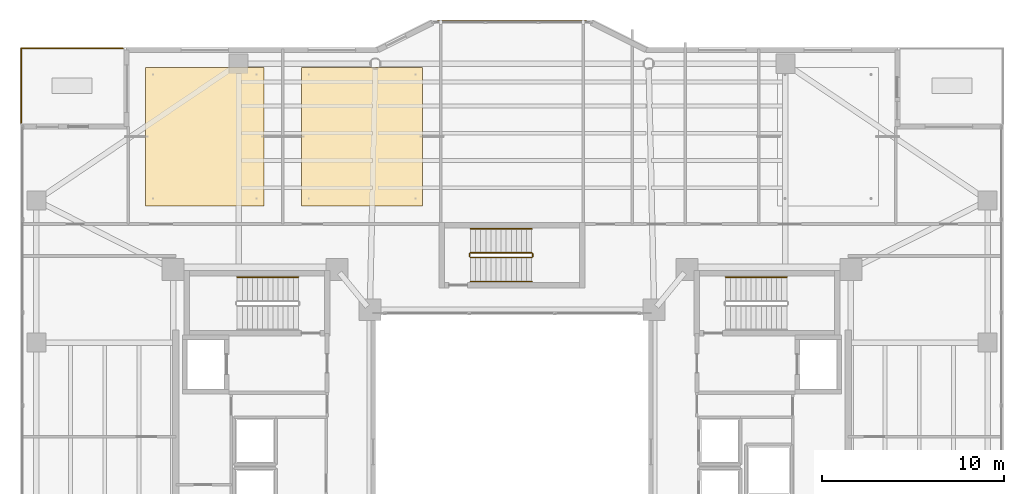
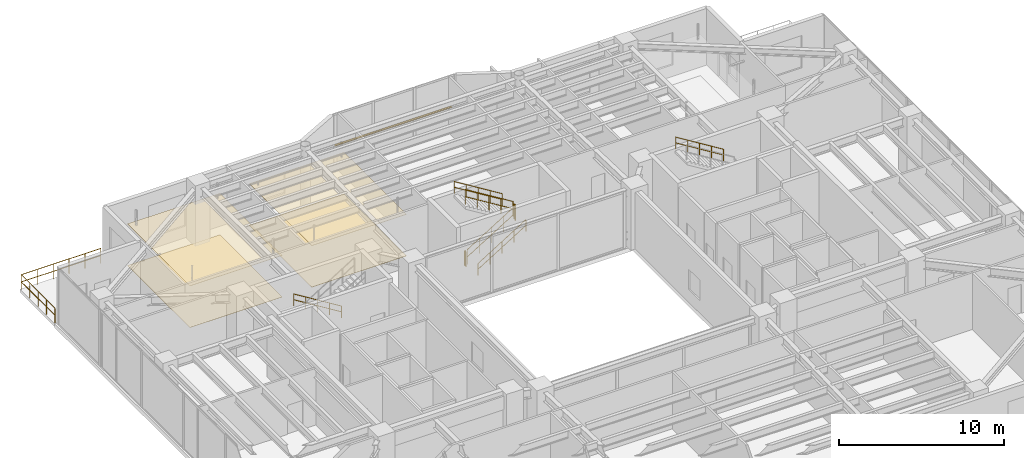
# One storey, part 37 of 38: 10 railings, 4 coverings, 1 shading device.
"""IFC4 building model written with IfcOpenShell, lengths in metres."""

from ifc_helpers import new_model, si_unit, direction, frame, origin, origin_2d, place, context, subcontext, project, spatial, polyline, rectangle, circle, outline, extrude, material, layer, layer_set, material_profile, profile_set, type_object, element, save


model = new_model("IFC4")

# Units and contexts
model_context = context("Model", 3, precision=1e-05, world=origin(), true_north=direction((0.0, 1.0)))
body_context = subcontext(model_context, "Body", "Model", "MODEL_VIEW")
ifc_project = project(units=[si_unit("LENGTHUNIT", "METRE"), si_unit("AREAUNIT", "SQUARE_METRE"), si_unit("VOLUMEUNIT", "CUBIC_METRE"), si_unit("PLANEANGLEUNIT", "RADIAN"), si_unit("MASSUNIT", "GRAM", prefix="KILO")], contexts=[model_context])

# Site, building, storey
site_placement = place(None, origin())
site = spatial("IfcSite", under=ifc_project, at=site_placement, CompositionType="ELEMENT")
building_placement = place(site_placement, origin())
building = spatial("IfcBuilding", under=site, at=building_placement, Name="Tarnavaz Court Tower", CompositionType="ELEMENT")
storey_placement = place(building_placement, frame((0.0, 0.0, 123.0)))
storey = spatial("IfcBuildingStorey", under=building, at=storey_placement, Name="L33", CompositionType="ELEMENT", Elevation=123.0)

# Coverings
ifc_material_1 = material(Name="Perforated Gypsum Acoustic Ceiling Tile", Category="masonry")
ifc_layer_1 = layer(ifc_material_1, 0.02490234375)
ifc_layer_set_1 = layer_set([ifc_layer_1], Name="Perforated Gypsum Acoustic Ceiling Tile")
covering_type_1 = type_object("IfcCoveringType", Name="CV-CEIL-AC", PredefinedType="CEILING", material=ifc_layer_set_1)
covering_1_placement = place(storey_placement, frame((0.0, 0.0, 3.080078125)))
element("IfcCovering", 1, at=covering_1_placement, inside=storey, type_object=covering_type_1, Name="L33 L33 Community Banquet Assembly Hall Suspended Acoustic Ceiling", PredefinedType="CEILING", context=body_context, shape_type="SweptSolid", body=[
    extrude(outline(polyline([(-20.10009765625, 13.5), (-13.614990234375, 13.5), (-13.614990234375, 21.10009765625), (-20.10009765625, 21.10009765625), (-20.10009765625, 13.5)])), origin(), (0.0, 0.0, 1.0), 0.02490234375),
])
covering_2_placement = place(storey_placement, frame((0.0, 0.0, 3.080078125)))
element("IfcCovering", 2, at=covering_2_placement, inside=storey, type_object=covering_type_1, Name="L33 L33 Resident Study Library Suspended Acoustic Ceiling", PredefinedType="CEILING", context=body_context, shape_type="SweptSolid", body=[
    extrude(outline(polyline([(-11.554931640625, 13.5), (-4.89990234375, 13.5), (-4.89990234375, 21.10009765625), (-11.554931640625, 21.10009765625), (-11.554931640625, 13.5)])), origin(), (0.0, 0.0, 1.0), 0.02490234375),
])
ifc_material_2 = material(Name="Glazed Khorasan Porcelain Floor Tile", Category="masonry")
ifc_layer_2 = layer(ifc_material_2, 0.02001953125)
ifc_layer_set_2 = layer_set([ifc_layer_2], Name="Glazed Khorasan Porcelain Floor Tile")
covering_type_2 = type_object("IfcCoveringType", Name="CV-FLR-PORC", PredefinedType="FLOORING", material=ifc_layer_set_2)
covering_3_placement = place(storey_placement, origin())
element("IfcCovering", 3, at=covering_3_placement, inside=storey, type_object=covering_type_2, Name="L33 L33 Community Banquet Assembly Hall Porcelain Floor Finish", PredefinedType="FLOORING", context=body_context, shape_type="SweptSolid", body=[
    extrude(outline(polyline([(-20.10009765625, 13.5), (-13.614990234375, 13.5), (-13.614990234375, 21.10009765625), (-20.10009765625, 21.10009765625), (-20.10009765625, 13.5)])), origin(), (0.0, 0.0, 1.0), 0.02001953125),
])
covering_4_placement = place(storey_placement, origin())
element("IfcCovering", 4, at=covering_4_placement, inside=storey, type_object=covering_type_2, Name="L33 L33 Resident Study Library Porcelain Floor Finish", PredefinedType="FLOORING", context=body_context, shape_type="SweptSolid", body=[
    extrude(outline(polyline([(-11.554931640625, 13.5), (-4.89990234375, 13.5), (-4.89990234375, 21.10009765625), (-11.554931640625, 21.10009765625), (-11.554931640625, 13.5)])), origin(), (0.0, 0.0, 1.0), 0.02001953125),
])

# Railings
ifc_material_3 = material(Name="Anodised Aluminium 6063-T6 and Laminated Safety Glass", Category="aluminium")
railing_type_1 = type_object("IfcRailingType", Name="RL-BAL-1120", PredefinedType="BALUSTRADE", material=ifc_material_3)
railing_1_placement = place(storey_placement, frame((-21.360107421875, 22.139892578125, 0.0)))
element("IfcRailing", 5, at=railing_1_placement, inside=storey, type_object=railing_type_1, Name="L33 Terrace 2 N Perimeter Balustrade", PredefinedType="BALUSTRADE", context=body_context, shape_type="SweptSolid", body=[
    extrude(circle(Radius=0.02392578125, at=origin_2d()), frame((0.0, 0.0, 1.09619140625), z_axis=(-1.0, 0.0, 0.0), x_axis=(0.0, -1.0, 0.0)), (0.0, 0.0, 1.0), 5.579833984375),
    extrude(circle(Radius=0.02392578125, at=origin_2d()), frame((0.0, 0.0, 0.56005859375), z_axis=(-1.0, 0.0, 0.0), x_axis=(0.0, -1.0, 0.0)), (0.0, 0.0, 1.0), 5.579833984375),
    extrude(circle(Radius=0.02099609375, at=origin_2d()), origin(), (0.0, 0.0, 1.0), 1.072021484375),
    extrude(circle(Radius=0.02099609375, at=origin_2d()), frame((-1.115966796875, 0.0, 0.0)), (0.0, 0.0, 1.0), 1.072021484375),
    extrude(circle(Radius=0.02099609375, at=origin_2d()), frame((-2.23193359375, 0.0, 0.0)), (0.0, 0.0, 1.0), 1.072021484375),
    extrude(circle(Radius=0.02099609375, at=origin_2d()), frame((-3.347900390625, 0.0, 0.0)), (0.0, 0.0, 1.0), 1.072021484375),
    extrude(circle(Radius=0.02099609375, at=origin_2d()), frame((-4.4638671875, 0.0, 0.0)), (0.0, 0.0, 1.0), 1.072021484375),
    extrude(circle(Radius=0.02099609375, at=origin_2d()), frame((-5.579833984375, 0.0, 0.0)), (0.0, 0.0, 1.0), 1.072021484375),
])
railing_2_placement = place(storey_placement, frame((-26.93994140625, 22.139892578125, 0.0)))
element("IfcRailing", 6, at=railing_2_placement, inside=storey, type_object=railing_type_1, Name="L33 Terrace 2 W Perimeter Balustrade", PredefinedType="BALUSTRADE", context=body_context, shape_type="SweptSolid", body=[
    extrude(circle(Radius=0.02392578125, at=origin_2d()), frame((0.0, 0.0, 1.09619140625), z_axis=(0.0, -1.0, 0.0), x_axis=(1.0, 0.0, 0.0)), (0.0, 0.0, 1.0), 4.079833984375),
    extrude(circle(Radius=0.02392578125, at=origin_2d()), frame((0.0, 0.0, 0.56005859375), z_axis=(0.0, -1.0, 0.0), x_axis=(1.0, 0.0, 0.0)), (0.0, 0.0, 1.0), 4.079833984375),
    extrude(circle(Radius=0.02099609375, at=origin_2d()), origin(), (0.0, 0.0, 1.0), 1.072021484375),
    extrude(circle(Radius=0.02099609375, at=origin_2d()), frame((0.0, -1.02001953125, 0.0)), (0.0, 0.0, 1.0), 1.072021484375),
    extrude(circle(Radius=0.02099609375, at=origin_2d()), frame((0.0, -2.0400390625, 0.0)), (0.0, 0.0, 1.0), 1.072021484375),
    extrude(circle(Radius=0.02099609375, at=origin_2d()), frame((0.0, -3.059814453125, 0.0)), (0.0, 0.0, 1.0), 1.072021484375),
    extrude(circle(Radius=0.02099609375, at=origin_2d()), frame((0.0, -4.079833984375, 0.0)), (0.0, 0.0, 1.0), 1.072021484375),
])
ifc_material_4 = material(Name="Brushed Stainless Steel", Category="steel")
railing_type_2 = type_object("IfcRailingType", Name="RL-HANDRAIL-900", PredefinedType="HANDRAIL", material=ifc_material_4)
for number, where, name in (
    (7, (-11.719970703125, 9.590087890625, 0.173095703125), "L33 ST-W1 stair handrail 1"),
    (8, (15.080078125, 9.590087890625, 2.423095703125), "L33 ST-E1 stair handrail 2"),
):
    element("IfcRailing", number, at=place(storey_placement, frame(where)), inside=storey, type_object=railing_type_2, Name=name, PredefinedType="HANDRAIL", context=body_context, shape_type="SweptSolid", body=[
        extrude(circle(Radius=0.02392578125, at=origin_2d()), frame((0.0, 0.0, 0.8759765625), z_axis=(-0.850623216509, 0.0, 0.525775754039), x_axis=(0.0, -1.0, 0.0)), (0.0, 0.0, 1.0), 3.9501953125),
        extrude(circle(Radius=0.02392578125, at=origin_2d()), frame((0.0, 0.0, 0.449951171875), z_axis=(-0.850623216509, 0.0, 0.525775754039), x_axis=(0.0, -1.0, 0.0)), (0.0, 0.0, 1.0), 3.9501953125),
        extrude(circle(Radius=0.02099609375, at=origin_2d()), origin(), (0.0, 0.0, 1.0), 0.851806640625),
        extrude(circle(Radius=0.02099609375, at=origin_2d()), frame((-0.840087890625, 0.0, 0.519287109375)), (0.0, 0.0, 1.0), 0.851806640625),
        extrude(circle(Radius=0.02099609375, at=origin_2d()), frame((-1.68017578125, 0.0, 1.03857421875)), (0.0, 0.0, 1.0), 0.851806640625),
        extrude(circle(Radius=0.02099609375, at=origin_2d()), frame((-2.52001953125, 0.0, 1.5576171875)), (0.0, 0.0, 1.0), 0.851806640625),
        extrude(circle(Radius=0.02099609375, at=origin_2d()), frame((-3.360107421875, 0.0, 2.076904296875)), (0.0, 0.0, 1.0), 0.851806640625),
    ])
railing_3_placement = place(storey_placement, frame((-2.280029296875, 9.35009765625, 0.173095703125)))
element("IfcRailing", 9, at=railing_3_placement, inside=storey, type_object=railing_type_2, Name="L33 ST-N1 stair handrail 1", PredefinedType="HANDRAIL", context=body_context, shape_type="SweptSolid", body=[
    extrude(circle(Radius=0.02392578125, at=origin_2d()), frame((0.0, 0.0, 0.8759765625), z_axis=(0.850623216509, 0.0, 0.525775754039), x_axis=(0.0, 1.0, 0.0)), (0.0, 0.0, 1.0), 3.9501953125),
    extrude(circle(Radius=0.02392578125, at=origin_2d()), frame((0.0, 0.0, 0.449951171875), z_axis=(0.850623216509, 0.0, 0.525775754039), x_axis=(0.0, 1.0, 0.0)), (0.0, 0.0, 1.0), 3.9501953125),
    extrude(circle(Radius=0.02099609375, at=origin_2d()), origin(), (0.0, 0.0, 1.0), 0.851806640625),
    extrude(circle(Radius=0.02099609375, at=origin_2d()), frame((0.840087890625, 0.0, 0.519287109375)), (0.0, 0.0, 1.0), 0.851806640625),
    extrude(circle(Radius=0.02099609375, at=origin_2d()), frame((1.68017578125, 0.0, 1.03857421875)), (0.0, 0.0, 1.0), 0.851806640625),
    extrude(circle(Radius=0.02099609375, at=origin_2d()), frame((2.52001953125, 0.0, 1.5576171875)), (0.0, 0.0, 1.0), 0.851806640625),
    extrude(circle(Radius=0.02099609375, at=origin_2d()), frame((3.360107421875, 0.0, 2.076904296875)), (0.0, 0.0, 1.0), 0.851806640625),
])
railing_4_placement = place(storey_placement, frame((1.080078125, 12.239990234375, 2.423095703125)))
element("IfcRailing", 10, at=railing_4_placement, inside=storey, type_object=railing_type_2, Name="L33 ST-N1 stair handrail 2", PredefinedType="HANDRAIL", context=body_context, shape_type="SweptSolid", body=[
    extrude(circle(Radius=0.02392578125, at=origin_2d()), frame((0.0, 0.0, 0.8759765625), z_axis=(-0.850623216509, 0.0, 0.525775754039), x_axis=(0.0, -1.0, 0.0)), (0.0, 0.0, 1.0), 3.9501953125),
    extrude(circle(Radius=0.02392578125, at=origin_2d()), frame((0.0, 0.0, 0.449951171875), z_axis=(-0.850623216509, 0.0, 0.525775754039), x_axis=(0.0, -1.0, 0.0)), (0.0, 0.0, 1.0), 3.9501953125),
    extrude(circle(Radius=0.02099609375, at=origin_2d()), origin(), (0.0, 0.0, 1.0), 0.851806640625),
    extrude(circle(Radius=0.02099609375, at=origin_2d()), frame((-0.840087890625, 0.0, 0.519287109375)), (0.0, 0.0, 1.0), 0.851806640625),
    extrude(circle(Radius=0.02099609375, at=origin_2d()), frame((-1.68017578125, 0.0, 1.03857421875)), (0.0, 0.0, 1.0), 0.851806640625),
    extrude(circle(Radius=0.02099609375, at=origin_2d()), frame((-2.52001953125, 0.0, 1.5576171875)), (0.0, 0.0, 1.0), 0.851806640625),
    extrude(circle(Radius=0.02099609375, at=origin_2d()), frame((-3.360107421875, 0.0, 2.076904296875)), (0.0, 0.0, 1.0), 0.851806640625),
])
ifc_material_5 = material(Name="Galvanized Painted Tubular Steel", Category="steel")
railing_type_3 = type_object("IfcRailingType", Name="RL-STGUARD-1120", PredefinedType="GUARDRAIL", material=ifc_material_5)
railing_5_placement = place(storey_placement, frame((-2.280029296875, 10.669921875, 0.173095703125)))
element("IfcRailing", 11, at=railing_5_placement, inside=storey, type_object=railing_type_3, Name="L33 ST-N1 stair guard 1", PredefinedType="GUARDRAIL", context=body_context, shape_type="SweptSolid", body=[
    extrude(circle(Radius=0.02392578125, at=origin_2d()), frame((0.0, 0.0, 1.09619140625), z_axis=(0.850623216509, 0.0, 0.525775754039), x_axis=(0.0, 1.0, 0.0)), (0.0, 0.0, 1.0), 3.9501953125),
    extrude(circle(Radius=0.02392578125, at=origin_2d()), frame((0.0, 0.0, 0.56005859375), z_axis=(0.850623216509, 0.0, 0.525775754039), x_axis=(0.0, 1.0, 0.0)), (0.0, 0.0, 1.0), 3.9501953125),
    extrude(circle(Radius=0.02099609375, at=origin_2d()), origin(), (0.0, 0.0, 1.0), 1.072021484375),
    extrude(circle(Radius=0.02099609375, at=origin_2d()), frame((0.840087890625, 0.0, 0.519287109375)), (0.0, 0.0, 1.0), 1.072021484375),
    extrude(circle(Radius=0.02099609375, at=origin_2d()), frame((1.68017578125, 0.0, 1.03857421875)), (0.0, 0.0, 1.0), 1.072021484375),
    extrude(circle(Radius=0.02099609375, at=origin_2d()), frame((2.52001953125, 0.0, 1.5576171875)), (0.0, 0.0, 1.0), 1.072021484375),
    extrude(circle(Radius=0.02099609375, at=origin_2d()), frame((3.360107421875, 0.0, 2.076904296875)), (0.0, 0.0, 1.0), 1.072021484375),
])
railing_6_placement = place(storey_placement, frame((1.1298828125, 10.719970703125, 2.25)))
element("IfcRailing", 12, at=railing_6_placement, inside=storey, type_object=railing_type_3, Name="L33 ST-N1 stair guard 2", PredefinedType="GUARDRAIL", context=body_context, shape_type="SweptSolid", body=[
    extrude(circle(Radius=0.02392578125, at=origin_2d()), frame((0.0, 0.0, 1.09619140625), z_axis=(0.0, 1.0, 0.0), x_axis=(-1.0, 0.0, 0.0)), (0.0, 0.0, 1.0), 0.150146484375),
    extrude(circle(Radius=0.02392578125, at=origin_2d()), frame((0.0, 0.0, 0.56005859375), z_axis=(0.0, 1.0, 0.0), x_axis=(-1.0, 0.0, 0.0)), (0.0, 0.0, 1.0), 0.150146484375),
    extrude(circle(Radius=0.02099609375, at=origin_2d()), origin(), (0.0, 0.0, 1.0), 1.072021484375),
    extrude(circle(Radius=0.02099609375, at=origin_2d()), frame((0.0, 0.150146484375, 0.0)), (0.0, 0.0, 1.0), 1.072021484375),
])
railing_7_placement = place(storey_placement, frame((1.080078125, 10.919921875, 2.423095703125)))
element("IfcRailing", 13, at=railing_7_placement, inside=storey, type_object=railing_type_3, Name="L33 ST-N1 stair guard 3", PredefinedType="GUARDRAIL", context=body_context, shape_type="SweptSolid", body=[
    extrude(circle(Radius=0.02392578125, at=origin_2d()), frame((0.0, 0.0, 1.09619140625), z_axis=(-0.850623216509, 0.0, 0.525775754039), x_axis=(0.0, -1.0, 0.0)), (0.0, 0.0, 1.0), 3.9501953125),
    extrude(circle(Radius=0.02392578125, at=origin_2d()), frame((0.0, 0.0, 0.56005859375), z_axis=(-0.850623216509, 0.0, 0.525775754039), x_axis=(0.0, -1.0, 0.0)), (0.0, 0.0, 1.0), 3.9501953125),
    extrude(circle(Radius=0.02099609375, at=origin_2d()), origin(), (0.0, 0.0, 1.0), 1.072021484375),
    extrude(circle(Radius=0.02099609375, at=origin_2d()), frame((-0.840087890625, 0.0, 0.519287109375)), (0.0, 0.0, 1.0), 1.072021484375),
    extrude(circle(Radius=0.02099609375, at=origin_2d()), frame((-1.68017578125, 0.0, 1.03857421875)), (0.0, 0.0, 1.0), 1.072021484375),
    extrude(circle(Radius=0.02099609375, at=origin_2d()), frame((-2.52001953125, 0.0, 1.5576171875)), (0.0, 0.0, 1.0), 1.072021484375),
    extrude(circle(Radius=0.02099609375, at=origin_2d()), frame((-3.360107421875, 0.0, 2.076904296875)), (0.0, 0.0, 1.0), 1.072021484375),
])
railing_8_placement = place(storey_placement, frame((-2.330078125, 10.719970703125, 0.0)))
element("IfcRailing", 14, at=railing_8_placement, inside=storey, type_object=railing_type_3, Name="L33 ST-N1 stair guard 4", PredefinedType="GUARDRAIL", context=body_context, shape_type="SweptSolid", body=[
    extrude(circle(Radius=0.02392578125, at=origin_2d()), frame((0.0, 0.0, 1.09619140625), z_axis=(0.0, 1.0, 0.0), x_axis=(-1.0, 0.0, 0.0)), (0.0, 0.0, 1.0), 0.150146484375),
    extrude(circle(Radius=0.02392578125, at=origin_2d()), frame((0.0, 0.0, 0.56005859375), z_axis=(0.0, 1.0, 0.0), x_axis=(-1.0, 0.0, 0.0)), (0.0, 0.0, 1.0), 0.150146484375),
    extrude(circle(Radius=0.02099609375, at=origin_2d()), origin(), (0.0, 0.0, 1.0), 1.072021484375),
    extrude(circle(Radius=0.02099609375, at=origin_2d()), frame((0.0, 0.150146484375, 0.0)), (0.0, 0.0, 1.0), 1.072021484375),
])

# Shading device
ifc_material_6 = material(Name="Kiln-Fired Khorasan Terracotta Ceramic", Category="masonry")
ifc_material_profile = material_profile(ifc_material_6, rectangle(XDim=0.1201171875, YDim=0.06005859375, at=origin_2d()), Name="TC BAGUETTE 120X60")
ifc_profile_set = profile_set([ifc_material_profile], Name="Kiln-Fired Khorasan Terracotta Ceramic")
shading_device_type = type_object("IfcShadingDeviceType", Name="SD-BAG-120", PredefinedType="USERDEFINED", material=ifc_profile_set)
shading_device_placement = place(storey_placement, frame((-4.10009765625, 23.610107421875, 1.800048828125), z_axis=(1.0, 0.0, 0.0), x_axis=(0.0, 1.0, 0.0)))
element("IfcShadingDevice", 15, at=shading_device_placement, inside=storey, type_object=shading_device_type, Name="L33 Terracotta Baguette Screen PBG7", ObjectType="BAGUETTE", PredefinedType="USERDEFINED", context=body_context, shape_type="SweptSolid", body=[
    extrude(rectangle(XDim=0.1201171875, YDim=0.06005859375, at=origin_2d()), origin(), (0.0, 0.0, 1.0), 8.2001953125),
])

save(model, "model.ifc")
